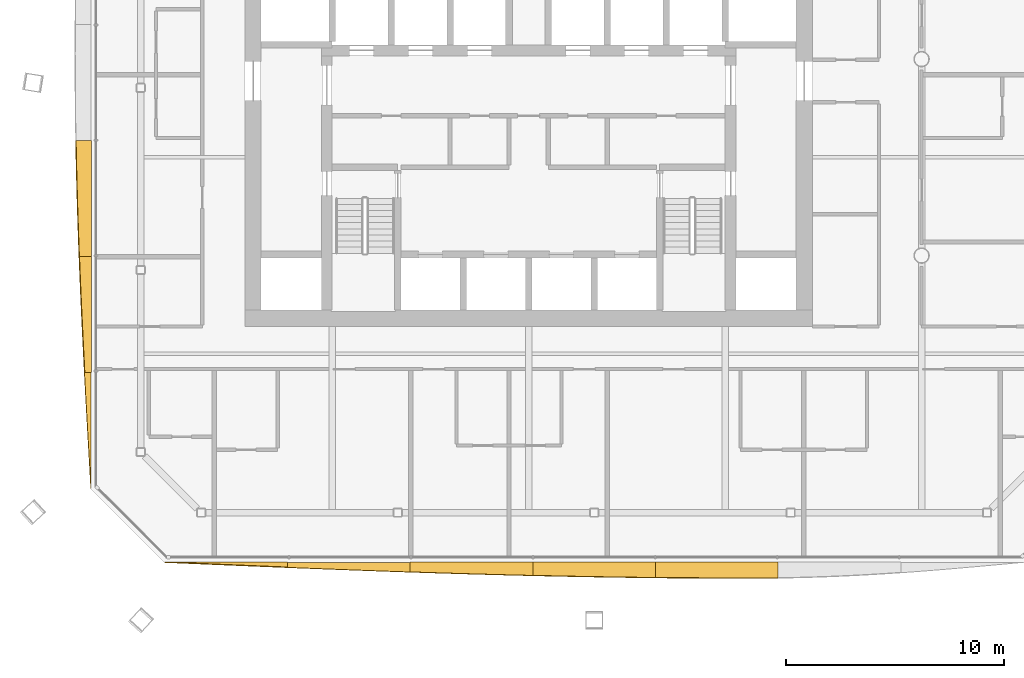
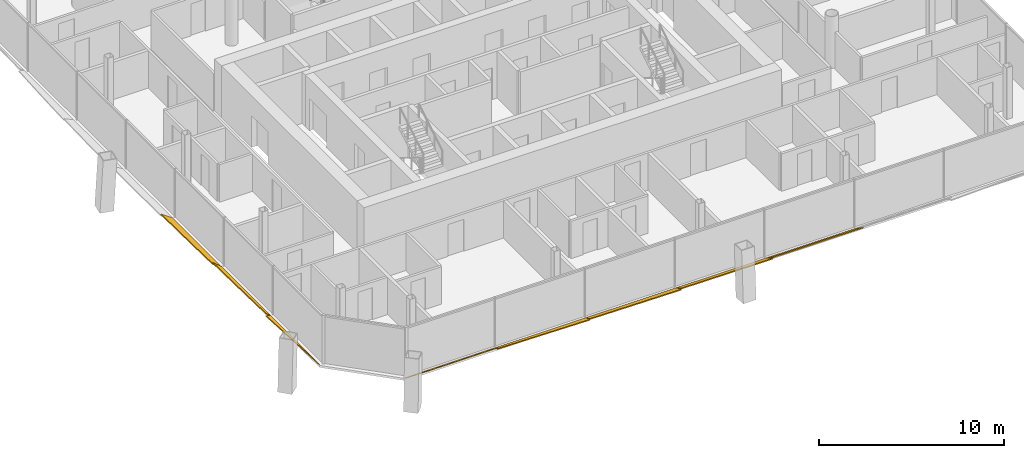
# One storey, part 17 of 21: 8 shading devices.
"""IFC4 building model written with IfcOpenShell, lengths in metres."""

from ifc_helpers import new_model, si_unit, direction, frame, origin, place, context, subcontext, project, spatial, polyline, outline, extrude, material, layer, layer_set, type_object, element, save


model = new_model("IFC4")

# Units and contexts
model_context = context("Model", 3, precision=1e-05, world=origin(), true_north=direction((0.0, 1.0)))
body_context = subcontext(model_context, "Body", "Model", "MODEL_VIEW")
ifc_project = project(units=[si_unit("LENGTHUNIT", "METRE"), si_unit("AREAUNIT", "SQUARE_METRE"), si_unit("VOLUMEUNIT", "CUBIC_METRE"), si_unit("PLANEANGLEUNIT", "RADIAN"), si_unit("MASSUNIT", "GRAM", prefix="KILO")], contexts=[model_context])

# Site, building, storey
site_placement = place(None, origin())
site = spatial("IfcSite", under=ifc_project, at=site_placement, CompositionType="ELEMENT")
building_placement = place(site_placement, origin())
building = spatial("IfcBuilding", under=site, at=building_placement, Name="Tskaro Facet Tower", CompositionType="ELEMENT")
storey_placement = place(building_placement, frame((0.0, 0.0, 135.10009765625)))
storey = spatial("IfcBuildingStorey", under=building, at=storey_placement, Name="L32", CompositionType="ELEMENT", Elevation=135.10009765625)

# Shading devices
ifc_material = material(Name="Bronze anodised aluminium 6063-T6", Category="aluminium")
ifc_layer = layer(ifc_material, 0.06005859375, Name="Bronze anodised aluminium 6063-T6")
ifc_layer_set = layer_set([ifc_layer], Name="Bronze anodised aluminium 6063-T6")
shading_device_type = type_object("IfcShadingDeviceType", Name="Bronze sun blade (FN1)", PredefinedType="USERDEFINED", material=ifc_layer_set)
shading_device_1_placement = place(storey_placement, frame((-16.677978515625, -23.031494140625, 0.0458984375), z_axis=(1.54404e-06, 0.643104062694, 0.765778796092), x_axis=(0.999999999999, -9.92979e-07, -1.182393e-06)))
element("IfcShadingDevice", 1, at=shading_device_1_placement, inside=storey, type_object=shading_device_type, Name="Fin blade south 1", ObjectType="FIN", PredefinedType="USERDEFINED", context=body_context, shape_type="SweptSolid", body=[
    extrude(outline(polyline([(0.0, 0.0), (5.622314453118298, 5.952856977026148e-22), (5.622314453133194, -0.3063716800878784), (4.9194335936848255, -0.2691108604377427), (4.2167968749077005, -0.23150607524591074), (3.51391601555182, -0.1935573245123826), (2.8110351562421823, -0.1552646082371582), (2.108398437603789, -0.11662792642023759), (1.4055175780979692, -0.07780428688942723), (0.7028808595058196, -0.03882363953081038), (0.0, 0.0)])), origin(), (0.0, 0.0, -1.0), 0.06005859375),
])
shading_device_2_placement = place(storey_placement, frame((-11.0556640625, -23.049560546875, 0.056396484375), z_axis=(-9.454316e-06, 0.341786761496, 0.93977753196), x_axis=(0.999999999955, 3.23136e-06, 8.884954e-06)))
element("IfcShadingDevice", 2, at=shading_device_2_placement, inside=storey, type_object=shading_device_type, Name="Fin blade south 2", ObjectType="FIN", PredefinedType="USERDEFINED", context=body_context, shape_type="SweptSolid", body=[
    extrude(outline(polyline([(0.0, 0.0), (5.622314452873727, 2.3811427908104593e-21), (5.622314453060275, -0.47281688094823554), (4.919433592939088, -0.4473279840852974), (4.216552733804347, -0.4208378916926915), (3.5139160168724093, -0.3938889235520377), (2.811035157343844, -0.3660847537221681), (2.1083984378489022, -0.33773826411067853), (1.405517577137606, -0.30884945471756914), (0.7026367180041221, -0.2795017695764119), (-1.0957384812938362e-09, -0.24961176465363474), (0.0, 0.0)])), origin(), (0.0, 0.0, -1.0), 0.06005859375),
])
shading_device_3_placement = place(storey_placement, frame((-5.433349609375, -23.044677734375, 0.05419921875), z_axis=(-6.366099e-06, 0.42268994932, 0.906274355095), x_axis=(0.99999999998, 2.690886e-06, 5.769433e-06)))
element("IfcShadingDevice", 3, at=shading_device_3_placement, inside=storey, type_object=shading_device_type, Name="Fin blade south 3", ObjectType="FIN", PredefinedType="USERDEFINED", context=body_context, shape_type="SweptSolid", body=[
    extrude(outline(polyline([(0.0, 0.0), (5.622314453011072, 0.0), (5.622314453086215, -0.6699767242159959), (4.919433593230038, -0.6510831760749323), (4.216552734593126, -0.6312013985955427), (3.51391601498337, -0.6101250002010067), (2.8110351559678843, -0.5880603724681448), (2.1083984373881064, -0.5649043196085465), (1.4055175787456444, -0.5409812957981013), (0.7026367192569406, -0.5161881052483986), (-4.530098779589047e-10, -0.4905247479594388), (0.0, 0.0)])), origin(), (0.0, 0.0, -1.0), 0.06005859375),
])
shading_device_4_placement = place(storey_placement, frame((0.18896484375, -23.0400390625, 0.0517578125), z_axis=(-1.6036758e-05, 0.500116323793, 0.865958233646), x_axis=(0.999999999871, 8.020244e-06, 1.3887162e-05)))
element("IfcShadingDevice", 4, at=shading_device_4_placement, inside=storey, type_object=shading_device_type, Name="Fin blade south 4", ObjectType="FIN", PredefinedType="USERDEFINED", context=body_context, shape_type="SweptSolid", body=[
    extrude(outline(polyline([(0.0, 0.0), (5.6220703117770645, 0.0), (5.622070313531996, -0.8145623734965011), (4.919433593638231, -0.8049322693888638), (4.2165527361289925, -0.7940008899354014), (3.5139160135153116, -0.7817354532967691), (2.8110351552442254, -0.7679573257278982), (2.108154296066501, -0.7533007539820289), (1.405517579090888, -0.737009392594042), (0.7026367171932477, -0.7197174883171775), (-1.0699279915475104e-09, -0.701124308694488), (0.0, 0.0)])), origin(), (0.0, 0.0, -1.0), 0.06005859375),
])
shading_device_5_placement = place(storey_placement, frame((5.81103515625, -23.03564453125, 0.049072265625), z_axis=(2.215841e-06, 0.573591979283, 0.819141160788), x_axis=(0.999999999998, -1.270989e-06, -1.815087e-06)))
element("IfcShadingDevice", 5, at=shading_device_5_placement, inside=storey, type_object=shading_device_type, Name="Fin blade south 5", ObjectType="FIN", PredefinedType="USERDEFINED", context=body_context, shape_type="SweptSolid", body=[
    extrude(outline(polyline([(0.0, 0.0), (5.622314453111198, 0.0), (5.622314453154841, -0.8827944051016152), (4.919677734497911, -0.8905146994882516), (4.509277343785708, -0.8917347533410382), (4.216796874726127, -0.8915347677060796), (3.5139160158841976, -0.8901746767489755), (2.8112792966917413, -0.8873345977734854), (2.1083984375384675, -0.8827944051016152), (1.405761718655266, -0.8771741956812759), (0.7028808593681108, -0.869993909668874), (-8.298654369511323e-12, -0.8610535614294512), (0.0, 0.0)])), origin(), (0.0, 0.0, -1.0), 0.06005859375),
])
shading_device_6_placement = place(storey_placement, frame((-20.03564453125, -3.7333984375, 0.049072265625), z_axis=(0.573583980946, 4.442782e-06, 0.819146761443), x_axis=(2.548309e-06, -0.99999999999, 3.63929e-06)))
element("IfcShadingDevice", 6, at=shading_device_6_placement, inside=storey, type_object=shading_device_type, Name="Fin blade west 5", ObjectType="FIN", PredefinedType="USERDEFINED", context=body_context, shape_type="SweptSolid", body=[
    extrude(outline(polyline([(0.0, 0.0), (5.314941406197546, 0.0), (5.314941406293816, -0.6622658150158407), (4.6506347652999205, -0.6926069850147589), (3.9860839844820513, -0.7209881053911273), (3.3217773435795612, -0.7474691279956541), (2.6574707034780958, -0.7719901009776309), (1.9931640624006581, -0.7942709540338591), (1.3288574218578924, -0.8142517353136307), (0.6643066406026554, -0.832132431819253), (-1.150578499936381e-10, -0.8479130435507262), (0.0, 0.0)])), origin(), (0.0, 0.0, -1.0), 0.06005859375),
])
shading_device_7_placement = place(storey_placement, frame((-20.031494140625, -9.04833984375, 0.0458984375), z_axis=(0.64281027724, -1.4172336e-05, 0.766025422081), x_axis=(-9.110123e-06, -0.9999999999, -1.085637e-05)))
element("IfcShadingDevice", 7, at=shading_device_7_placement, inside=storey, type_object=shading_device_type, Name="Fin blade west 6", ObjectType="FIN", PredefinedType="USERDEFINED", context=body_context, shape_type="SweptSolid", body=[
    extrude(outline(polyline([(0.0, 0.0), (5.314697265091258, 4.501723688666715e-21), (5.3146972661686, -0.387488622117729), (4.6503906238084065, -0.4325335458295101), (3.9860839853776837, -0.4763896713538668), (3.321777341127166, -0.5189968350458509), (2.6574707034565996, -0.5602582644475533), (1.9929199224180743, -0.5997698418858368), (1.3286132814856917, -0.6377185852860328), (0.6643066404608066, -0.6737605406199525), (-1.0829109275882438e-09, -0.7082396619157848), (0.0, 0.0)])), origin(), (0.0, 0.0, -1.0), 0.06005859375),
])
shading_device_8_placement = place(storey_placement, frame((-20.049560546875, -14.363037109375, 0.056396484375), z_axis=(0.341605401699, -1.40022e-06, 0.939843470759), x_axis=(-4.78323e-07, -0.999999999999, -1.315988e-06)))
element("IfcShadingDevice", 8, at=shading_device_8_placement, inside=storey, type_object=shading_device_type, Name="Fin blade west 7", ObjectType="FIN", PredefinedType="USERDEFINED", context=body_context, shape_type="SweptSolid", body=[
    extrude(outline(polyline([(0.0, 0.0), (5.31494140624479, 2.813706552387408e-22), (4.650634765845792, -0.04046520603849907), (3.9863281251255076, -0.08101381183327241), (3.3217773436634457, -0.12133296365569232), (2.6574707030308917, -0.16133926174948449), (1.9931640626028455, -0.2010327061146489), (1.3288574218244658, -0.24003778856275296), (0.6645507810170377, -0.2782711093375223), (-6.374012341283569e-12, -0.31587872265503625), (0.0, 0.0)])), origin(), (0.0, 0.0, -1.0), 0.06005859375),
])

save(model, "model.ifc")
